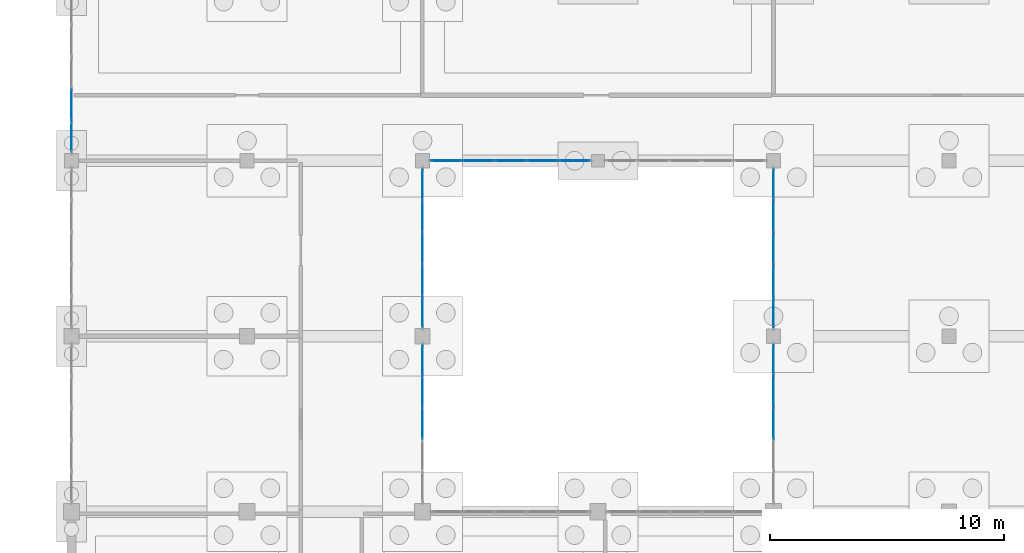
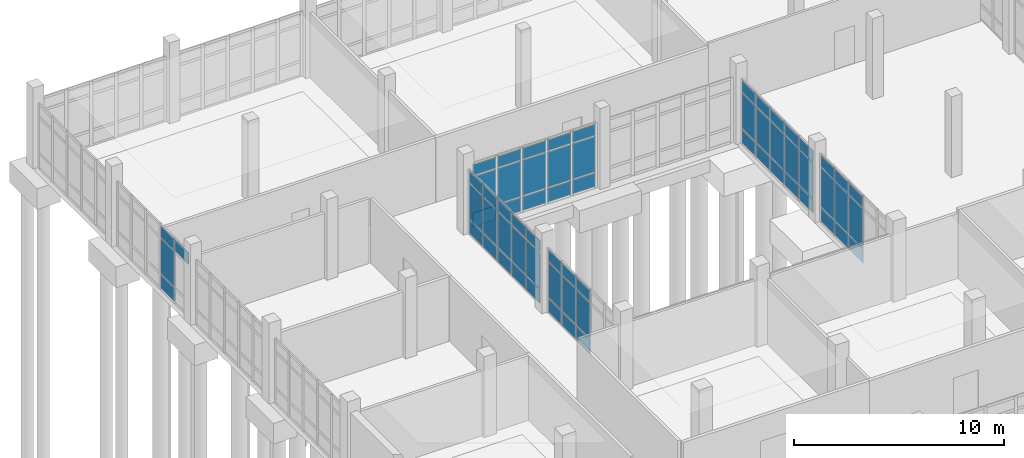
# One storey, part 128 of 173: 67 plates, 6 elements without a shape of their own.
"""IFC4 building model written with IfcOpenShell, lengths in metres."""

from ifc_helpers import new_model, si_unit, direction, frame, origin, origin_2d, place, context, subcontext, project, spatial, rectangle, extrude, material, layer, layer_set, type_object, element, aggregate, save


model = new_model("IFC4")

# Units and contexts
model_context = context("Model", 3, precision=1e-05, world=origin(), true_north=direction((0.0, 1.0)))
body_context = subcontext(model_context, "Body", "Model", "MODEL_VIEW")
ifc_project = project(units=[si_unit("LENGTHUNIT", "METRE"), si_unit("AREAUNIT", "SQUARE_METRE"), si_unit("VOLUMEUNIT", "CUBIC_METRE"), si_unit("PLANEANGLEUNIT", "RADIAN"), si_unit("MASSUNIT", "GRAM", prefix="KILO")], contexts=[model_context])

# Site, building, storey
site_placement = place(None, origin())
site = spatial("IfcSite", under=ifc_project, at=site_placement, CompositionType="ELEMENT")
building_placement = place(site_placement, origin())
building = spatial("IfcBuilding", under=site, at=building_placement, Name="Mawjan Specialist Oncology Clinic", CompositionType="ELEMENT")
storey_placement = place(building_placement, origin())
storey = spatial("IfcBuildingStorey", under=building, at=storey_placement, Name="L00", CompositionType="ELEMENT", Elevation=0.0)

# Curtain wall, plates
ifc_material_1 = material(Name="Unitised spectrally selective aluminium curtain wall", Category="aluminium")
ifc_layer_1 = layer(ifc_material_1, 0.179931640625, Name="Unitised spectrally selective aluminium curtain wall", Category="aluminium")
ifc_layer_set_1 = layer_set([ifc_layer_1], Name="Unitised spectrally selective aluminium curtain wall")
curtain_wall_type_1 = type_object("IfcCurtainWallType", Name="CW-05", PredefinedType="NOTDEFINED", material=ifc_layer_set_1)
curtain_wall_1_placement = place(storey_placement, origin())
curtain_wall_1 = element("IfcCurtainWall", 1, at=curtain_wall_1_placement, inside=storey, type_object=curtain_wall_type_1, Name="L00 Unitised Curtain Wall CW-L00-007", PredefinedType="NOTDEFINED")
ifc_material_2 = material(Name="Spectrally selective double low-E glazing", Category="glass")
ifc_layer_2 = layer(ifc_material_2, 0.035888671875, Name="Spectrally selective double low-E glazing", Category="glass")
ifc_layer_set_2 = layer_set([ifc_layer_2], Name="Spectrally selective double low-E glazing")
plate_type = type_object("IfcPlateType", Name="CW-P36", PredefinedType="CURTAIN_PANEL", material=ifc_layer_set_2)
plate_1_placement = place(storey_placement, frame((0.0, 61.822265625, 3.04736328125), z_axis=(0.0, 0.0, 1.0), x_axis=(0.0, 1.0, 0.0)))
plate_1 = element("IfcPlate", 2, at=plate_1_placement, type_object=plate_type, Name="CW-05 panel 1.3", PredefinedType="CURTAIN_PANEL", context=body_context, shape_type="SweptSolid", body=[
    extrude(rectangle(XDim=1.2744140625, YDim=0.035888671875, at=origin_2d()), origin(), (0.0, 0.0, 1.0), 0.652587890625),
])
plate_2_placement = place(storey_placement, frame((0.0, 63.177978515625, 0.06494140625), z_axis=(0.0, 0.0, 1.0), x_axis=(0.0, 1.0, 0.0)))
plate_2 = element("IfcPlate", 3, at=plate_2_placement, type_object=plate_type, Name="CW-05 panel 2.1", PredefinedType="CURTAIN_PANEL", context=body_context, shape_type="SweptSolid", body=[
    extrude(rectangle(XDim=1.306884765625, YDim=0.035888671875, at=origin_2d()), origin(), (0.0, 0.0, 1.0), 0.802490234375),
])
plate_3_placement = place(storey_placement, frame((0.0, 63.177978515625, 0.9326171875), z_axis=(0.0, 0.0, 1.0), x_axis=(0.0, 1.0, 0.0)))
plate_3 = element("IfcPlate", 4, at=plate_3_placement, type_object=plate_type, Name="CW-05 panel 2.2", PredefinedType="CURTAIN_PANEL", context=body_context, shape_type="SweptSolid", body=[
    extrude(rectangle(XDim=1.306884765625, YDim=0.035888671875, at=origin_2d()), origin(), (0.0, 0.0, 1.0), 2.050048828125),
])
plate_4_placement = place(storey_placement, frame((0.0, 63.177978515625, 3.04736328125), z_axis=(0.0, 0.0, 1.0), x_axis=(0.0, 1.0, 0.0)))
plate_4 = element("IfcPlate", 5, at=plate_4_placement, type_object=plate_type, Name="CW-05 panel 2.3", PredefinedType="CURTAIN_PANEL", context=body_context, shape_type="SweptSolid", body=[
    extrude(rectangle(XDim=1.306884765625, YDim=0.035888671875, at=origin_2d()), origin(), (0.0, 0.0, 1.0), 0.652587890625),
])
aggregate(curtain_wall_1, [plate_1, plate_2, plate_3, plate_4])

ifc_material_3 = material(Name="Unitised spectrally selective aluminium curtain wall", Category="aluminium")
ifc_layer_3 = layer(ifc_material_3, 0.179931640625, Name="Unitised spectrally selective aluminium curtain wall", Category="aluminium")
ifc_layer_set_3 = layer_set([ifc_layer_3], Name="Unitised spectrally selective aluminium curtain wall")
curtain_wall_type_2 = type_object("IfcCurtainWallType", Name="CW-01", PredefinedType="NOTDEFINED", material=ifc_layer_set_3)
curtain_wall_2_placement = place(storey_placement, origin())
curtain_wall_2 = element("IfcCurtainWall", 6, at=curtain_wall_2_placement, inside=storey, type_object=curtain_wall_type_2, Name="L00 Unitised Curtain Wall CW-L00-058", PredefinedType="NOTDEFINED")
plate_5_placement = place(storey_placement, frame((30.0, 49.574951171875, 0.06494140625), z_axis=(0.0, 0.0, 1.0), x_axis=(0.0, 1.0, 0.0)))
plate_5 = element("IfcPlate", 7, at=plate_5_placement, type_object=plate_type, Name="CW-01 panel 3.1", PredefinedType="CURTAIN_PANEL", context=body_context, shape_type="SweptSolid", body=[
    extrude(rectangle(XDim=1.297119140625, YDim=0.035888671875, at=origin_2d()), origin(), (0.0, 0.0, 1.0), 0.802490234375),
])
plate_6_placement = place(storey_placement, frame((30.0, 49.574951171875, 0.932373046875), z_axis=(0.0, 0.0, 1.0), x_axis=(0.0, 1.0, 0.0)))
plate_6 = element("IfcPlate", 8, at=plate_6_placement, type_object=plate_type, Name="CW-01 panel 3.2", PredefinedType="CURTAIN_PANEL", context=body_context, shape_type="SweptSolid", body=[
    extrude(rectangle(XDim=1.297119140625, YDim=0.035888671875, at=origin_2d()), origin(), (0.0, 0.0, 1.0), 2.27001953125),
])
plate_7_placement = place(storey_placement, frame((30.0, 49.574951171875, 3.267578125), z_axis=(0.0, 0.0, 1.0), x_axis=(0.0, 1.0, 0.0)))
plate_7 = element("IfcPlate", 9, at=plate_7_placement, type_object=plate_type, Name="CW-01 panel 3.3", PredefinedType="CURTAIN_PANEL", context=body_context, shape_type="SweptSolid", body=[
    extrude(rectangle(XDim=1.297119140625, YDim=0.035888671875, at=origin_2d()), origin(), (0.0, 0.0, 1.0), 0.652587890625),
])
plate_8_placement = place(storey_placement, frame((30.0, 50.93701171875, 0.06494140625), z_axis=(0.0, 0.0, 1.0), x_axis=(0.0, 1.0, 0.0)))
plate_8 = element("IfcPlate", 10, at=plate_8_placement, type_object=plate_type, Name="CW-01 panel 4.1", PredefinedType="CURTAIN_PANEL", context=body_context, shape_type="SweptSolid", body=[
    extrude(rectangle(XDim=1.297119140625, YDim=0.035888671875, at=origin_2d()), origin(), (0.0, 0.0, 1.0), 0.802490234375),
])
plate_9_placement = place(storey_placement, frame((30.0, 50.93701171875, 0.932373046875), z_axis=(0.0, 0.0, 1.0), x_axis=(0.0, 1.0, 0.0)))
plate_9 = element("IfcPlate", 11, at=plate_9_placement, type_object=plate_type, Name="CW-01 panel 4.2", PredefinedType="CURTAIN_PANEL", context=body_context, shape_type="SweptSolid", body=[
    extrude(rectangle(XDim=1.297119140625, YDim=0.035888671875, at=origin_2d()), origin(), (0.0, 0.0, 1.0), 2.27001953125),
])
plate_10_placement = place(storey_placement, frame((30.0, 50.93701171875, 3.267578125), z_axis=(0.0, 0.0, 1.0), x_axis=(0.0, 1.0, 0.0)))
plate_10 = element("IfcPlate", 12, at=plate_10_placement, type_object=plate_type, Name="CW-01 panel 4.3", PredefinedType="CURTAIN_PANEL", context=body_context, shape_type="SweptSolid", body=[
    extrude(rectangle(XDim=1.297119140625, YDim=0.035888671875, at=origin_2d()), origin(), (0.0, 0.0, 1.0), 0.652587890625),
])
plate_11_placement = place(storey_placement, frame((30.0, 52.28271484375, 0.06494140625), z_axis=(0.0, 0.0, 1.0), x_axis=(0.0, 1.0, 0.0)))
plate_11 = element("IfcPlate", 13, at=plate_11_placement, type_object=plate_type, Name="CW-01 panel 5.1", PredefinedType="CURTAIN_PANEL", context=body_context, shape_type="SweptSolid", body=[
    extrude(rectangle(XDim=1.264404296875, YDim=0.035888671875, at=origin_2d()), origin(), (0.0, 0.0, 1.0), 0.802490234375),
])
plate_12_placement = place(storey_placement, frame((30.0, 52.28271484375, 0.932373046875), z_axis=(0.0, 0.0, 1.0), x_axis=(0.0, 1.0, 0.0)))
plate_12 = element("IfcPlate", 14, at=plate_12_placement, type_object=plate_type, Name="CW-01 panel 5.2", PredefinedType="CURTAIN_PANEL", context=body_context, shape_type="SweptSolid", body=[
    extrude(rectangle(XDim=1.264404296875, YDim=0.035888671875, at=origin_2d()), origin(), (0.0, 0.0, 1.0), 2.27001953125),
])
plate_13_placement = place(storey_placement, frame((30.0, 52.28271484375, 3.267578125), z_axis=(0.0, 0.0, 1.0), x_axis=(0.0, 1.0, 0.0)))
plate_13 = element("IfcPlate", 15, at=plate_13_placement, type_object=plate_type, Name="CW-01 panel 5.3", PredefinedType="CURTAIN_PANEL", context=body_context, shape_type="SweptSolid", body=[
    extrude(rectangle(XDim=1.264404296875, YDim=0.035888671875, at=origin_2d()), origin(), (0.0, 0.0, 1.0), 0.652587890625),
])
aggregate(curtain_wall_2, [plate_5, plate_6, plate_7, plate_8, plate_9, plate_10, plate_11, plate_12, plate_13])

curtain_wall_3_placement = place(storey_placement, origin())
curtain_wall_3 = element("IfcCurtainWall", 16, at=curtain_wall_3_placement, inside=storey, type_object=curtain_wall_type_1, Name="L00 Unitised Curtain Wall CW-L00-059", PredefinedType="NOTDEFINED")
plate_14_placement = place(storey_placement, frame((30.0, 54.322265625, 0.06494140625), z_axis=(0.0, 0.0, 1.0), x_axis=(0.0, 1.0, 0.0)))
plate_14 = element("IfcPlate", 17, at=plate_14_placement, type_object=plate_type, Name="CW-05 panel 1.1", PredefinedType="CURTAIN_PANEL", context=body_context, shape_type="SweptSolid", body=[
    extrude(rectangle(XDim=1.2744140625, YDim=0.035888671875, at=origin_2d()), origin(), (0.0, 0.0, 1.0), 0.802490234375),
])
plate_15_placement = place(storey_placement, frame((30.0, 54.322265625, 0.9326171875), z_axis=(0.0, 0.0, 1.0), x_axis=(0.0, 1.0, 0.0)))
plate_15 = element("IfcPlate", 18, at=plate_15_placement, type_object=plate_type, Name="CW-05 panel 1.2", PredefinedType="CURTAIN_PANEL", context=body_context, shape_type="SweptSolid", body=[
    extrude(rectangle(XDim=1.2744140625, YDim=0.035888671875, at=origin_2d()), origin(), (0.0, 0.0, 1.0), 2.050048828125),
])
plate_16_placement = place(storey_placement, frame((30.0, 54.322265625, 3.04736328125), z_axis=(0.0, 0.0, 1.0), x_axis=(0.0, 1.0, 0.0)))
plate_16 = element("IfcPlate", 19, at=plate_16_placement, type_object=plate_type, Name="CW-05 panel 1.3", PredefinedType="CURTAIN_PANEL", context=body_context, shape_type="SweptSolid", body=[
    extrude(rectangle(XDim=1.2744140625, YDim=0.035888671875, at=origin_2d()), origin(), (0.0, 0.0, 1.0), 0.652587890625),
])
plate_17_placement = place(storey_placement, frame((30.0, 55.677978515625, 0.06494140625), z_axis=(0.0, 0.0, 1.0), x_axis=(0.0, 1.0, 0.0)))
plate_17 = element("IfcPlate", 20, at=plate_17_placement, type_object=plate_type, Name="CW-05 panel 2.1", PredefinedType="CURTAIN_PANEL", context=body_context, shape_type="SweptSolid", body=[
    extrude(rectangle(XDim=1.306884765625, YDim=0.035888671875, at=origin_2d()), origin(), (0.0, 0.0, 1.0), 0.802490234375),
])
plate_18_placement = place(storey_placement, frame((30.0, 55.677978515625, 0.9326171875), z_axis=(0.0, 0.0, 1.0), x_axis=(0.0, 1.0, 0.0)))
plate_18 = element("IfcPlate", 21, at=plate_18_placement, type_object=plate_type, Name="CW-05 panel 2.2", PredefinedType="CURTAIN_PANEL", context=body_context, shape_type="SweptSolid", body=[
    extrude(rectangle(XDim=1.306884765625, YDim=0.035888671875, at=origin_2d()), origin(), (0.0, 0.0, 1.0), 2.050048828125),
])
plate_19_placement = place(storey_placement, frame((30.0, 55.677978515625, 3.04736328125), z_axis=(0.0, 0.0, 1.0), x_axis=(0.0, 1.0, 0.0)))
plate_19 = element("IfcPlate", 22, at=plate_19_placement, type_object=plate_type, Name="CW-05 panel 2.3", PredefinedType="CURTAIN_PANEL", context=body_context, shape_type="SweptSolid", body=[
    extrude(rectangle(XDim=1.306884765625, YDim=0.035888671875, at=origin_2d()), origin(), (0.0, 0.0, 1.0), 0.652587890625),
])
plate_20_placement = place(storey_placement, frame((30.0, 57.050048828125, 0.06494140625), z_axis=(0.0, 0.0, 1.0), x_axis=(0.0, 1.0, 0.0)))
plate_20 = element("IfcPlate", 23, at=plate_20_placement, type_object=plate_type, Name="CW-05 panel 3.1", PredefinedType="CURTAIN_PANEL", context=body_context, shape_type="SweptSolid", body=[
    extrude(rectangle(XDim=1.306884765625, YDim=0.035888671875, at=origin_2d()), origin(), (0.0, 0.0, 1.0), 0.802490234375),
])
plate_21_placement = place(storey_placement, frame((30.0, 57.050048828125, 0.9326171875), z_axis=(0.0, 0.0, 1.0), x_axis=(0.0, 1.0, 0.0)))
plate_21 = element("IfcPlate", 24, at=plate_21_placement, type_object=plate_type, Name="CW-05 panel 3.2", PredefinedType="CURTAIN_PANEL", context=body_context, shape_type="SweptSolid", body=[
    extrude(rectangle(XDim=1.306884765625, YDim=0.035888671875, at=origin_2d()), origin(), (0.0, 0.0, 1.0), 2.050048828125),
])
plate_22_placement = place(storey_placement, frame((30.0, 57.050048828125, 3.04736328125), z_axis=(0.0, 0.0, 1.0), x_axis=(0.0, 1.0, 0.0)))
plate_22 = element("IfcPlate", 25, at=plate_22_placement, type_object=plate_type, Name="CW-05 panel 3.3", PredefinedType="CURTAIN_PANEL", context=body_context, shape_type="SweptSolid", body=[
    extrude(rectangle(XDim=1.306884765625, YDim=0.035888671875, at=origin_2d()), origin(), (0.0, 0.0, 1.0), 0.652587890625),
])
plate_23_placement = place(storey_placement, frame((30.0, 58.422119140625, 0.06494140625), z_axis=(0.0, 0.0, 1.0), x_axis=(0.0, 1.0, 0.0)))
plate_23 = element("IfcPlate", 26, at=plate_23_placement, type_object=plate_type, Name="CW-05 panel 4.1", PredefinedType="CURTAIN_PANEL", context=body_context, shape_type="SweptSolid", body=[
    extrude(rectangle(XDim=1.306884765625, YDim=0.035888671875, at=origin_2d()), origin(), (0.0, 0.0, 1.0), 0.802490234375),
])
plate_24_placement = place(storey_placement, frame((30.0, 58.422119140625, 0.9326171875), z_axis=(0.0, 0.0, 1.0), x_axis=(0.0, 1.0, 0.0)))
plate_24 = element("IfcPlate", 27, at=plate_24_placement, type_object=plate_type, Name="CW-05 panel 4.2", PredefinedType="CURTAIN_PANEL", context=body_context, shape_type="SweptSolid", body=[
    extrude(rectangle(XDim=1.306884765625, YDim=0.035888671875, at=origin_2d()), origin(), (0.0, 0.0, 1.0), 2.050048828125),
])
plate_25_placement = place(storey_placement, frame((30.0, 58.422119140625, 3.04736328125), z_axis=(0.0, 0.0, 1.0), x_axis=(0.0, 1.0, 0.0)))
plate_25 = element("IfcPlate", 28, at=plate_25_placement, type_object=plate_type, Name="CW-05 panel 4.3", PredefinedType="CURTAIN_PANEL", context=body_context, shape_type="SweptSolid", body=[
    extrude(rectangle(XDim=1.306884765625, YDim=0.035888671875, at=origin_2d()), origin(), (0.0, 0.0, 1.0), 0.652587890625),
])
plate_26_placement = place(storey_placement, frame((30.0, 59.77783203125, 0.06494140625), z_axis=(0.0, 0.0, 1.0), x_axis=(0.0, 1.0, 0.0)))
plate_26 = element("IfcPlate", 29, at=plate_26_placement, type_object=plate_type, Name="CW-05 panel 5.1", PredefinedType="CURTAIN_PANEL", context=body_context, shape_type="SweptSolid", body=[
    extrude(rectangle(XDim=1.2744140625, YDim=0.035888671875, at=origin_2d()), origin(), (0.0, 0.0, 1.0), 0.802490234375),
])
plate_27_placement = place(storey_placement, frame((30.0, 59.77783203125, 0.9326171875), z_axis=(0.0, 0.0, 1.0), x_axis=(0.0, 1.0, 0.0)))
plate_27 = element("IfcPlate", 30, at=plate_27_placement, type_object=plate_type, Name="CW-05 panel 5.2", PredefinedType="CURTAIN_PANEL", context=body_context, shape_type="SweptSolid", body=[
    extrude(rectangle(XDim=1.2744140625, YDim=0.035888671875, at=origin_2d()), origin(), (0.0, 0.0, 1.0), 2.050048828125),
])
plate_28_placement = place(storey_placement, frame((30.0, 59.77783203125, 3.04736328125), z_axis=(0.0, 0.0, 1.0), x_axis=(0.0, 1.0, 0.0)))
plate_28 = element("IfcPlate", 31, at=plate_28_placement, type_object=plate_type, Name="CW-05 panel 5.3", PredefinedType="CURTAIN_PANEL", context=body_context, shape_type="SweptSolid", body=[
    extrude(rectangle(XDim=1.2744140625, YDim=0.035888671875, at=origin_2d()), origin(), (0.0, 0.0, 1.0), 0.652587890625),
])
aggregate(curtain_wall_3, [plate_14, plate_15, plate_16, plate_17, plate_18, plate_19, plate_20, plate_21, plate_22, plate_23, plate_24, plate_25, plate_26, plate_27, plate_28])

ifc_material_4 = material(Name="Unitised spectrally selective aluminium curtain wall", Category="aluminium")
ifc_layer_4 = layer(ifc_material_4, 0.179931640625, Name="Unitised spectrally selective aluminium curtain wall", Category="aluminium")
ifc_layer_set_4 = layer_set([ifc_layer_4], Name="Unitised spectrally selective aluminium curtain wall")
curtain_wall_type_3 = type_object("IfcCurtainWallType", Name="CW-06", PredefinedType="NOTDEFINED", material=ifc_layer_set_4)
curtain_wall_4_placement = place(storey_placement, origin())
curtain_wall_4 = element("IfcCurtainWall", 32, at=curtain_wall_4_placement, inside=storey, type_object=curtain_wall_type_3, Name="L00 Unitised Curtain Wall CW-L00-061", PredefinedType="NOTDEFINED")
plate_29_placement = place(storey_placement, frame((21.500244140625, 60.800048828125, 0.06494140625), z_axis=(0.0, 0.0, 1.0), x_axis=(-1.0, 0.0, 0.0)))
plate_29 = element("IfcPlate", 33, at=plate_29_placement, type_object=plate_type, Name="CW-06 panel 1.1", PredefinedType="CURTAIN_PANEL", context=body_context, shape_type="SweptSolid", body=[
    extrude(rectangle(XDim=1.279541015625, YDim=0.035888671875, at=origin_2d()), origin(), (0.0, 0.0, 1.0), 0.802490234375),
])
plate_30_placement = place(storey_placement, frame((21.500244140625, 60.800048828125, 0.9326171875), z_axis=(0.0, 0.0, 1.0), x_axis=(-1.0, 0.0, 0.0)))
plate_30 = element("IfcPlate", 34, at=plate_30_placement, type_object=plate_type, Name="CW-06 panel 1.2", PredefinedType="CURTAIN_PANEL", context=body_context, shape_type="SweptSolid", body=[
    extrude(rectangle(XDim=1.279541015625, YDim=0.035888671875, at=origin_2d()), origin(), (0.0, 0.0, 1.0), 2.050048828125),
])
plate_31_placement = place(storey_placement, frame((21.500244140625, 60.800048828125, 3.04736328125), z_axis=(0.0, 0.0, 1.0), x_axis=(-1.0, 0.0, 0.0)))
plate_31 = element("IfcPlate", 35, at=plate_31_placement, type_object=plate_type, Name="CW-06 panel 1.3", PredefinedType="CURTAIN_PANEL", context=body_context, shape_type="SweptSolid", body=[
    extrude(rectangle(XDim=1.279541015625, YDim=0.035888671875, at=origin_2d()), origin(), (0.0, 0.0, 1.0), 0.652587890625),
])
plate_32_placement = place(storey_placement, frame((20.139404296875, 60.800048828125, 0.06494140625), z_axis=(0.0, 0.0, 1.0), x_axis=(-1.0, 0.0, 0.0)))
plate_32 = element("IfcPlate", 36, at=plate_32_placement, type_object=plate_type, Name="CW-06 panel 2.1", PredefinedType="CURTAIN_PANEL", context=body_context, shape_type="SweptSolid", body=[
    extrude(rectangle(XDim=1.31201171875, YDim=0.035888671875, at=origin_2d()), origin(), (0.0, 0.0, 1.0), 0.802490234375),
])
plate_33_placement = place(storey_placement, frame((20.139404296875, 60.800048828125, 0.9326171875), z_axis=(0.0, 0.0, 1.0), x_axis=(-1.0, 0.0, 0.0)))
plate_33 = element("IfcPlate", 37, at=plate_33_placement, type_object=plate_type, Name="CW-06 panel 2.2", PredefinedType="CURTAIN_PANEL", context=body_context, shape_type="SweptSolid", body=[
    extrude(rectangle(XDim=1.31201171875, YDim=0.035888671875, at=origin_2d()), origin(), (0.0, 0.0, 1.0), 2.050048828125),
])
plate_34_placement = place(storey_placement, frame((20.139404296875, 60.800048828125, 3.04736328125), z_axis=(0.0, 0.0, 1.0), x_axis=(-1.0, 0.0, 0.0)))
plate_34 = element("IfcPlate", 38, at=plate_34_placement, type_object=plate_type, Name="CW-06 panel 2.3", PredefinedType="CURTAIN_PANEL", context=body_context, shape_type="SweptSolid", body=[
    extrude(rectangle(XDim=1.31201171875, YDim=0.035888671875, at=origin_2d()), origin(), (0.0, 0.0, 1.0), 0.652587890625),
])
plate_35_placement = place(storey_placement, frame((18.762451171875, 60.800048828125, 0.06494140625), z_axis=(0.0, 0.0, 1.0), x_axis=(-1.0, 0.0, 0.0)))
plate_35 = element("IfcPlate", 39, at=plate_35_placement, type_object=plate_type, Name="CW-06 panel 3.1", PredefinedType="CURTAIN_PANEL", context=body_context, shape_type="SweptSolid", body=[
    extrude(rectangle(XDim=1.31201171875, YDim=0.035888671875, at=origin_2d()), origin(), (0.0, 0.0, 1.0), 0.802490234375),
])
plate_36_placement = place(storey_placement, frame((18.762451171875, 60.800048828125, 0.9326171875), z_axis=(0.0, 0.0, 1.0), x_axis=(-1.0, 0.0, 0.0)))
plate_36 = element("IfcPlate", 40, at=plate_36_placement, type_object=plate_type, Name="CW-06 panel 3.2", PredefinedType="CURTAIN_PANEL", context=body_context, shape_type="SweptSolid", body=[
    extrude(rectangle(XDim=1.31201171875, YDim=0.035888671875, at=origin_2d()), origin(), (0.0, 0.0, 1.0), 2.050048828125),
])
plate_37_placement = place(storey_placement, frame((18.762451171875, 60.800048828125, 3.04736328125), z_axis=(0.0, 0.0, 1.0), x_axis=(-1.0, 0.0, 0.0)))
plate_37 = element("IfcPlate", 41, at=plate_37_placement, type_object=plate_type, Name="CW-06 panel 3.3", PredefinedType="CURTAIN_PANEL", context=body_context, shape_type="SweptSolid", body=[
    extrude(rectangle(XDim=1.31201171875, YDim=0.035888671875, at=origin_2d()), origin(), (0.0, 0.0, 1.0), 0.652587890625),
])
plate_38_placement = place(storey_placement, frame((17.385498046875, 60.800048828125, 0.06494140625), z_axis=(0.0, 0.0, 1.0), x_axis=(-1.0, 0.0, 0.0)))
plate_38 = element("IfcPlate", 42, at=plate_38_placement, type_object=plate_type, Name="CW-06 panel 4.1", PredefinedType="CURTAIN_PANEL", context=body_context, shape_type="SweptSolid", body=[
    extrude(rectangle(XDim=1.31201171875, YDim=0.035888671875, at=origin_2d()), origin(), (0.0, 0.0, 1.0), 0.802490234375),
])
plate_39_placement = place(storey_placement, frame((17.385498046875, 60.800048828125, 0.9326171875), z_axis=(0.0, 0.0, 1.0), x_axis=(-1.0, 0.0, 0.0)))
plate_39 = element("IfcPlate", 43, at=plate_39_placement, type_object=plate_type, Name="CW-06 panel 4.2", PredefinedType="CURTAIN_PANEL", context=body_context, shape_type="SweptSolid", body=[
    extrude(rectangle(XDim=1.31201171875, YDim=0.035888671875, at=origin_2d()), origin(), (0.0, 0.0, 1.0), 2.050048828125),
])
plate_40_placement = place(storey_placement, frame((17.385498046875, 60.800048828125, 3.04736328125), z_axis=(0.0, 0.0, 1.0), x_axis=(-1.0, 0.0, 0.0)))
plate_40 = element("IfcPlate", 44, at=plate_40_placement, type_object=plate_type, Name="CW-06 panel 4.3", PredefinedType="CURTAIN_PANEL", context=body_context, shape_type="SweptSolid", body=[
    extrude(rectangle(XDim=1.31201171875, YDim=0.035888671875, at=origin_2d()), origin(), (0.0, 0.0, 1.0), 0.652587890625),
])
plate_41_placement = place(storey_placement, frame((16.024658203125, 60.800048828125, 0.06494140625), z_axis=(0.0, 0.0, 1.0), x_axis=(-1.0, 0.0, 0.0)))
plate_41 = element("IfcPlate", 45, at=plate_41_placement, type_object=plate_type, Name="CW-06 panel 5.1", PredefinedType="CURTAIN_PANEL", context=body_context, shape_type="SweptSolid", body=[
    extrude(rectangle(XDim=1.279541015625, YDim=0.035888671875, at=origin_2d()), origin(), (0.0, 0.0, 1.0), 0.802490234375),
])
plate_42_placement = place(storey_placement, frame((16.024658203125, 60.800048828125, 0.9326171875), z_axis=(0.0, 0.0, 1.0), x_axis=(-1.0, 0.0, 0.0)))
plate_42 = element("IfcPlate", 46, at=plate_42_placement, type_object=plate_type, Name="CW-06 panel 5.2", PredefinedType="CURTAIN_PANEL", context=body_context, shape_type="SweptSolid", body=[
    extrude(rectangle(XDim=1.279541015625, YDim=0.035888671875, at=origin_2d()), origin(), (0.0, 0.0, 1.0), 2.050048828125),
])
plate_43_placement = place(storey_placement, frame((16.024658203125, 60.800048828125, 3.04736328125), z_axis=(0.0, 0.0, 1.0), x_axis=(-1.0, 0.0, 0.0)))
plate_43 = element("IfcPlate", 47, at=plate_43_placement, type_object=plate_type, Name="CW-06 panel 5.3", PredefinedType="CURTAIN_PANEL", context=body_context, shape_type="SweptSolid", body=[
    extrude(rectangle(XDim=1.279541015625, YDim=0.035888671875, at=origin_2d()), origin(), (0.0, 0.0, 1.0), 0.652587890625),
])
aggregate(curtain_wall_4, [plate_29, plate_30, plate_31, plate_32, plate_33, plate_34, plate_35, plate_36, plate_37, plate_38, plate_39, plate_40, plate_41, plate_42, plate_43])

ifc_material_5 = material(Name="Unitised spectrally selective aluminium curtain wall", Category="aluminium")
ifc_layer_5 = layer(ifc_material_5, 0.179931640625, Name="Unitised spectrally selective aluminium curtain wall", Category="aluminium")
ifc_layer_set_5 = layer_set([ifc_layer_5], Name="Unitised spectrally selective aluminium curtain wall")
curtain_wall_type_4 = type_object("IfcCurtainWallType", Name="CW-04", PredefinedType="NOTDEFINED", material=ifc_layer_set_5)
curtain_wall_5_placement = place(storey_placement, origin())
curtain_wall_5 = element("IfcCurtainWall", 48, at=curtain_wall_5_placement, inside=storey, type_object=curtain_wall_type_4, Name="L00 Unitised Curtain Wall CW-L00-062", PredefinedType="NOTDEFINED")
plate_44_placement = place(storey_placement, frame((15.0, 59.7802734375, 0.06494140625), z_axis=(0.0, 0.0, 1.0), x_axis=(0.0, -1.0, 0.0)))
plate_44 = element("IfcPlate", 49, at=plate_44_placement, type_object=plate_type, Name="CW-04 panel 1.1", PredefinedType="CURTAIN_PANEL", context=body_context, shape_type="SweptSolid", body=[
    extrude(rectangle(XDim=1.26953125, YDim=0.035888671875, at=origin_2d()), origin(), (0.0, 0.0, 1.0), 0.802490234375),
])
plate_45_placement = place(storey_placement, frame((15.0, 59.7802734375, 0.9326171875), z_axis=(0.0, 0.0, 1.0), x_axis=(0.0, -1.0, 0.0)))
plate_45 = element("IfcPlate", 50, at=plate_45_placement, type_object=plate_type, Name="CW-04 panel 1.2", PredefinedType="CURTAIN_PANEL", context=body_context, shape_type="SweptSolid", body=[
    extrude(rectangle(XDim=1.26953125, YDim=0.035888671875, at=origin_2d()), origin(), (0.0, 0.0, 1.0), 2.050048828125),
])
plate_46_placement = place(storey_placement, frame((15.0, 59.7802734375, 3.04736328125), z_axis=(0.0, 0.0, 1.0), x_axis=(0.0, -1.0, 0.0)))
plate_46 = element("IfcPlate", 51, at=plate_46_placement, type_object=plate_type, Name="CW-04 panel 1.3", PredefinedType="CURTAIN_PANEL", context=body_context, shape_type="SweptSolid", body=[
    extrude(rectangle(XDim=1.26953125, YDim=0.035888671875, at=origin_2d()), origin(), (0.0, 0.0, 1.0), 0.652587890625),
])
plate_47_placement = place(storey_placement, frame((15.0, 58.429443359375, 0.06494140625), z_axis=(0.0, 0.0, 1.0), x_axis=(0.0, -1.0, 0.0)))
plate_47 = element("IfcPlate", 52, at=plate_47_placement, type_object=plate_type, Name="CW-04 panel 2.1", PredefinedType="CURTAIN_PANEL", context=body_context, shape_type="SweptSolid", body=[
    extrude(rectangle(XDim=1.302001953125, YDim=0.035888671875, at=origin_2d()), origin(), (0.0, 0.0, 1.0), 0.802490234375),
])
plate_48_placement = place(storey_placement, frame((15.0, 58.429443359375, 0.9326171875), z_axis=(0.0, 0.0, 1.0), x_axis=(0.0, -1.0, 0.0)))
plate_48 = element("IfcPlate", 53, at=plate_48_placement, type_object=plate_type, Name="CW-04 panel 2.2", PredefinedType="CURTAIN_PANEL", context=body_context, shape_type="SweptSolid", body=[
    extrude(rectangle(XDim=1.302001953125, YDim=0.035888671875, at=origin_2d()), origin(), (0.0, 0.0, 1.0), 2.050048828125),
])
plate_49_placement = place(storey_placement, frame((15.0, 58.429443359375, 3.04736328125), z_axis=(0.0, 0.0, 1.0), x_axis=(0.0, -1.0, 0.0)))
plate_49 = element("IfcPlate", 54, at=plate_49_placement, type_object=plate_type, Name="CW-04 panel 2.3", PredefinedType="CURTAIN_PANEL", context=body_context, shape_type="SweptSolid", body=[
    extrude(rectangle(XDim=1.302001953125, YDim=0.035888671875, at=origin_2d()), origin(), (0.0, 0.0, 1.0), 0.652587890625),
])
plate_50_placement = place(storey_placement, frame((15.0, 57.0625, 0.06494140625), z_axis=(0.0, 0.0, 1.0), x_axis=(0.0, -1.0, 0.0)))
plate_50 = element("IfcPlate", 55, at=plate_50_placement, type_object=plate_type, Name="CW-04 panel 3.1", PredefinedType="CURTAIN_PANEL", context=body_context, shape_type="SweptSolid", body=[
    extrude(rectangle(XDim=1.302001953125, YDim=0.035888671875, at=origin_2d()), origin(), (0.0, 0.0, 1.0), 0.802490234375),
])
plate_51_placement = place(storey_placement, frame((15.0, 57.0625, 0.9326171875), z_axis=(0.0, 0.0, 1.0), x_axis=(0.0, -1.0, 0.0)))
plate_51 = element("IfcPlate", 56, at=plate_51_placement, type_object=plate_type, Name="CW-04 panel 3.2", PredefinedType="CURTAIN_PANEL", context=body_context, shape_type="SweptSolid", body=[
    extrude(rectangle(XDim=1.302001953125, YDim=0.035888671875, at=origin_2d()), origin(), (0.0, 0.0, 1.0), 2.050048828125),
])
plate_52_placement = place(storey_placement, frame((15.0, 57.0625, 3.04736328125), z_axis=(0.0, 0.0, 1.0), x_axis=(0.0, -1.0, 0.0)))
plate_52 = element("IfcPlate", 57, at=plate_52_placement, type_object=plate_type, Name="CW-04 panel 3.3", PredefinedType="CURTAIN_PANEL", context=body_context, shape_type="SweptSolid", body=[
    extrude(rectangle(XDim=1.302001953125, YDim=0.035888671875, at=origin_2d()), origin(), (0.0, 0.0, 1.0), 0.652587890625),
])
plate_53_placement = place(storey_placement, frame((15.0, 55.695556640625, 0.06494140625), z_axis=(0.0, 0.0, 1.0), x_axis=(0.0, -1.0, 0.0)))
plate_53 = element("IfcPlate", 58, at=plate_53_placement, type_object=plate_type, Name="CW-04 panel 4.1", PredefinedType="CURTAIN_PANEL", context=body_context, shape_type="SweptSolid", body=[
    extrude(rectangle(XDim=1.302001953125, YDim=0.035888671875, at=origin_2d()), origin(), (0.0, 0.0, 1.0), 0.802490234375),
])
plate_54_placement = place(storey_placement, frame((15.0, 55.695556640625, 0.9326171875), z_axis=(0.0, 0.0, 1.0), x_axis=(0.0, -1.0, 0.0)))
plate_54 = element("IfcPlate", 59, at=plate_54_placement, type_object=plate_type, Name="CW-04 panel 4.2", PredefinedType="CURTAIN_PANEL", context=body_context, shape_type="SweptSolid", body=[
    extrude(rectangle(XDim=1.302001953125, YDim=0.035888671875, at=origin_2d()), origin(), (0.0, 0.0, 1.0), 2.050048828125),
])
plate_55_placement = place(storey_placement, frame((15.0, 55.695556640625, 3.04736328125), z_axis=(0.0, 0.0, 1.0), x_axis=(0.0, -1.0, 0.0)))
plate_55 = element("IfcPlate", 60, at=plate_55_placement, type_object=plate_type, Name="CW-04 panel 4.3", PredefinedType="CURTAIN_PANEL", context=body_context, shape_type="SweptSolid", body=[
    extrude(rectangle(XDim=1.302001953125, YDim=0.035888671875, at=origin_2d()), origin(), (0.0, 0.0, 1.0), 0.652587890625),
])
plate_56_placement = place(storey_placement, frame((15.0, 54.3447265625, 0.06494140625), z_axis=(0.0, 0.0, 1.0), x_axis=(0.0, -1.0, 0.0)))
plate_56 = element("IfcPlate", 61, at=plate_56_placement, type_object=plate_type, Name="CW-04 panel 5.1", PredefinedType="CURTAIN_PANEL", context=body_context, shape_type="SweptSolid", body=[
    extrude(rectangle(XDim=1.26953125, YDim=0.035888671875, at=origin_2d()), origin(), (0.0, 0.0, 1.0), 0.802490234375),
])
plate_57_placement = place(storey_placement, frame((15.0, 54.3447265625, 0.9326171875), z_axis=(0.0, 0.0, 1.0), x_axis=(0.0, -1.0, 0.0)))
plate_57 = element("IfcPlate", 62, at=plate_57_placement, type_object=plate_type, Name="CW-04 panel 5.2", PredefinedType="CURTAIN_PANEL", context=body_context, shape_type="SweptSolid", body=[
    extrude(rectangle(XDim=1.26953125, YDim=0.035888671875, at=origin_2d()), origin(), (0.0, 0.0, 1.0), 2.050048828125),
])
plate_58_placement = place(storey_placement, frame((15.0, 54.3447265625, 3.04736328125), z_axis=(0.0, 0.0, 1.0), x_axis=(0.0, -1.0, 0.0)))
plate_58 = element("IfcPlate", 63, at=plate_58_placement, type_object=plate_type, Name="CW-04 panel 5.3", PredefinedType="CURTAIN_PANEL", context=body_context, shape_type="SweptSolid", body=[
    extrude(rectangle(XDim=1.26953125, YDim=0.035888671875, at=origin_2d()), origin(), (0.0, 0.0, 1.0), 0.652587890625),
])
aggregate(curtain_wall_5, [plate_44, plate_45, plate_46, plate_47, plate_48, plate_49, plate_50, plate_51, plate_52, plate_53, plate_54, plate_55, plate_56, plate_57, plate_58])

ifc_material_6 = material(Name="Unitised spectrally selective aluminium curtain wall", Category="aluminium")
ifc_layer_6 = layer(ifc_material_6, 0.179931640625, Name="Unitised spectrally selective aluminium curtain wall", Category="aluminium")
ifc_layer_set_6 = layer_set([ifc_layer_6], Name="Unitised spectrally selective aluminium curtain wall")
curtain_wall_type_5 = type_object("IfcCurtainWallType", Name="CW-03", PredefinedType="NOTDEFINED", material=ifc_layer_set_6)
curtain_wall_6_placement = place(storey_placement, origin())
curtain_wall_6 = element("IfcCurtainWall", 64, at=curtain_wall_6_placement, inside=storey, type_object=curtain_wall_type_5, Name="L00 Unitised Curtain Wall CW-L00-063", PredefinedType="NOTDEFINED")
plate_59_placement = place(storey_placement, frame((15.0, 52.26025390625, 0.06494140625), z_axis=(0.0, 0.0, 1.0), x_axis=(0.0, -1.0, 0.0)))
plate_59 = element("IfcPlate", 65, at=plate_59_placement, type_object=plate_type, Name="CW-03 panel 1.1", PredefinedType="CURTAIN_PANEL", context=body_context, shape_type="SweptSolid", body=[
    extrude(rectangle(XDim=1.259521484375, YDim=0.035888671875, at=origin_2d()), origin(), (0.0, 0.0, 1.0), 0.802490234375),
])
plate_60_placement = place(storey_placement, frame((15.0, 52.26025390625, 0.9326171875), z_axis=(0.0, 0.0, 1.0), x_axis=(0.0, -1.0, 0.0)))
plate_60 = element("IfcPlate", 66, at=plate_60_placement, type_object=plate_type, Name="CW-03 panel 1.2", PredefinedType="CURTAIN_PANEL", context=body_context, shape_type="SweptSolid", body=[
    extrude(rectangle(XDim=1.259521484375, YDim=0.035888671875, at=origin_2d()), origin(), (0.0, 0.0, 1.0), 2.050048828125),
])
plate_61_placement = place(storey_placement, frame((15.0, 52.26025390625, 3.04736328125), z_axis=(0.0, 0.0, 1.0), x_axis=(0.0, -1.0, 0.0)))
plate_61 = element("IfcPlate", 67, at=plate_61_placement, type_object=plate_type, Name="CW-03 panel 1.3", PredefinedType="CURTAIN_PANEL", context=body_context, shape_type="SweptSolid", body=[
    extrude(rectangle(XDim=1.259521484375, YDim=0.035888671875, at=origin_2d()), origin(), (0.0, 0.0, 1.0), 0.652587890625),
])
plate_62_placement = place(storey_placement, frame((15.0, 50.91943359375, 0.06494140625), z_axis=(0.0, 0.0, 1.0), x_axis=(0.0, -1.0, 0.0)))
plate_62 = element("IfcPlate", 68, at=plate_62_placement, type_object=plate_type, Name="CW-03 panel 2.1", PredefinedType="CURTAIN_PANEL", context=body_context, shape_type="SweptSolid", body=[
    extrude(rectangle(XDim=1.2919921875, YDim=0.035888671875, at=origin_2d()), origin(), (0.0, 0.0, 1.0), 0.802490234375),
])
plate_63_placement = place(storey_placement, frame((15.0, 50.91943359375, 0.9326171875), z_axis=(0.0, 0.0, 1.0), x_axis=(0.0, -1.0, 0.0)))
plate_63 = element("IfcPlate", 69, at=plate_63_placement, type_object=plate_type, Name="CW-03 panel 2.2", PredefinedType="CURTAIN_PANEL", context=body_context, shape_type="SweptSolid", body=[
    extrude(rectangle(XDim=1.2919921875, YDim=0.035888671875, at=origin_2d()), origin(), (0.0, 0.0, 1.0), 2.050048828125),
])
plate_64_placement = place(storey_placement, frame((15.0, 50.91943359375, 3.04736328125), z_axis=(0.0, 0.0, 1.0), x_axis=(0.0, -1.0, 0.0)))
plate_64 = element("IfcPlate", 70, at=plate_64_placement, type_object=plate_type, Name="CW-03 panel 2.3", PredefinedType="CURTAIN_PANEL", context=body_context, shape_type="SweptSolid", body=[
    extrude(rectangle(XDim=1.2919921875, YDim=0.035888671875, at=origin_2d()), origin(), (0.0, 0.0, 1.0), 0.652587890625),
])
plate_65_placement = place(storey_placement, frame((15.0, 49.5625, 0.06494140625), z_axis=(0.0, 0.0, 1.0), x_axis=(0.0, -1.0, 0.0)))
plate_65 = element("IfcPlate", 71, at=plate_65_placement, type_object=plate_type, Name="CW-03 panel 3.1", PredefinedType="CURTAIN_PANEL", context=body_context, shape_type="SweptSolid", body=[
    extrude(rectangle(XDim=1.2919921875, YDim=0.035888671875, at=origin_2d()), origin(), (0.0, 0.0, 1.0), 0.802490234375),
])
plate_66_placement = place(storey_placement, frame((15.0, 49.5625, 0.9326171875), z_axis=(0.0, 0.0, 1.0), x_axis=(0.0, -1.0, 0.0)))
plate_66 = element("IfcPlate", 72, at=plate_66_placement, type_object=plate_type, Name="CW-03 panel 3.2", PredefinedType="CURTAIN_PANEL", context=body_context, shape_type="SweptSolid", body=[
    extrude(rectangle(XDim=1.2919921875, YDim=0.035888671875, at=origin_2d()), origin(), (0.0, 0.0, 1.0), 2.050048828125),
])
plate_67_placement = place(storey_placement, frame((15.0, 49.5625, 3.04736328125), z_axis=(0.0, 0.0, 1.0), x_axis=(0.0, -1.0, 0.0)))
plate_67 = element("IfcPlate", 73, at=plate_67_placement, type_object=plate_type, Name="CW-03 panel 3.3", PredefinedType="CURTAIN_PANEL", context=body_context, shape_type="SweptSolid", body=[
    extrude(rectangle(XDim=1.2919921875, YDim=0.035888671875, at=origin_2d()), origin(), (0.0, 0.0, 1.0), 0.652587890625),
])
aggregate(curtain_wall_6, [plate_59, plate_60, plate_61, plate_62, plate_63, plate_64, plate_65, plate_66, plate_67])

save(model, "model.ifc")
